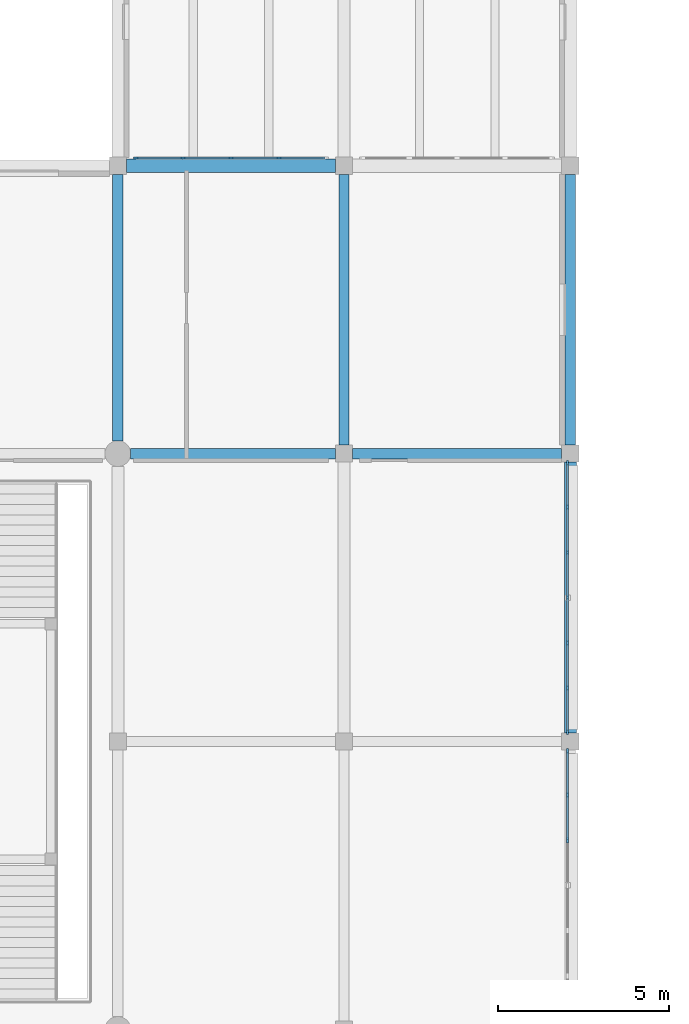
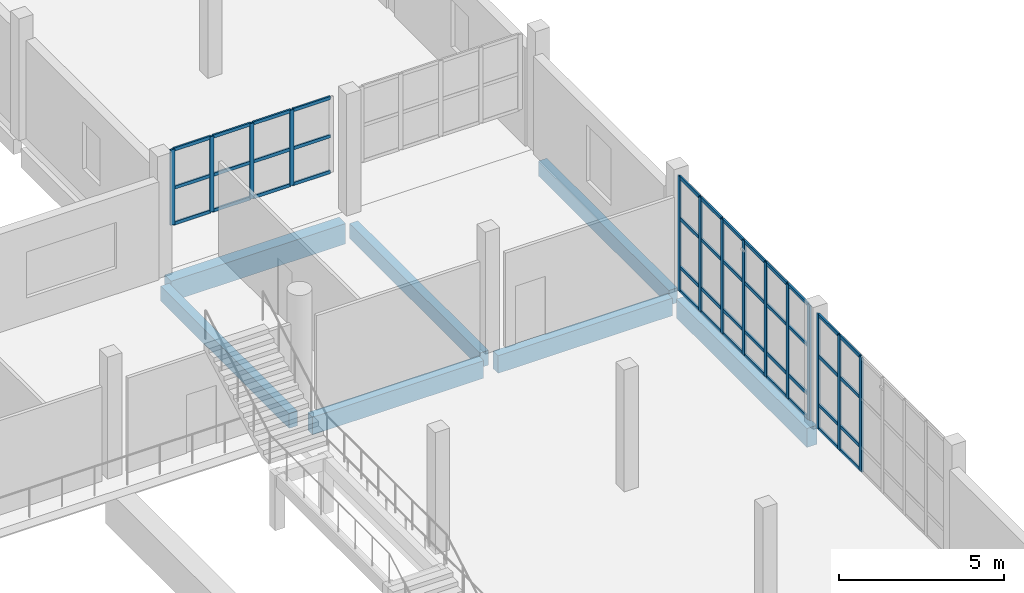
# One storey, part 7 of 76: 58 members, 7 beams, 3 elements without a shape of their own.
"""IFC4 building model written with IfcOpenShell, lengths in metres."""

from ifc_helpers import new_model, si_unit, direction, frame, origin, origin_2d, place, context, subcontext, project, spatial, rectangle, extrude, material, material_profile, profile_set, type_object, element, aggregate, save


model = new_model("IFC4")

# Units and contexts
model_context = context("Model", 3, precision=1e-05, world=origin(), true_north=direction((0.0, 1.0)))
body_context = subcontext(model_context, "Body", "Model", "MODEL_VIEW")
ifc_project = project(units=[si_unit("LENGTHUNIT", "METRE"), si_unit("AREAUNIT", "SQUARE_METRE"), si_unit("VOLUMEUNIT", "CUBIC_METRE"), si_unit("PLANEANGLEUNIT", "RADIAN"), si_unit("MASSUNIT", "GRAM", prefix="KILO")], contexts=[model_context])

# Site, building, storey
site_placement = place(None, origin())
site = spatial("IfcSite", under=ifc_project, at=site_placement, CompositionType="ELEMENT")
building_placement = place(site_placement, origin())
building = spatial("IfcBuilding", under=site, at=building_placement, Name="Qaldarim Faculty of Natural and Applied Sciences", CompositionType="ELEMENT")
storey_placement = place(building_placement, frame((0.0, 0.0, 9.89990234375)))
storey = spatial("IfcBuildingStorey", under=building, at=storey_placement, Name="L02", CompositionType="ELEMENT", Elevation=9.89990234375)

# Beams
ifc_material_1 = material(Name="Concrete C40/50", Category="concrete")
ifc_material_profile_1 = material_profile(ifc_material_1, rectangle(XDim=0.300048828125, YDim=0.550048828125, at=origin_2d()), Name="RC-B300x550")
ifc_profile_set_1 = profile_set([ifc_material_profile_1], Name="Concrete C40/50")
beam_type_1 = type_object("IfcBeamType", Name="FloorBeam-RC300x550", PredefinedType="BEAM", material=ifc_profile_set_1)
beam_1_placement = place(storey_placement, frame((33.0, 75.97509765625, -0.574951171875), z_axis=(0.0, 1.0, 0.0), x_axis=(-1.0, 0.0, 0.0)))
element("IfcBeam", 1, at=beam_1_placement, inside=storey, type_object=beam_type_1, Name="Beam RC-B300x550 L01 X06/Y10-Y11", PredefinedType="BEAM", context=body_context, shape_type="SweptSolid", body=[
    extrude(rectangle(XDim=0.300048828125, YDim=0.550048828125, at=origin_2d()), origin(), (0.0, 0.0, 1.0), 7.77490234375),
])
for number, where, z_axis, x_axis, name in (
    (2, (39.60009765625, 75.85009765625, -0.574951171875), (0.0, 1.0, 0.0), (-1.0, 0.0, 0.0), "Beam RC-B300x550 L01 X07/Y10-Y11"),
    (3, (46.199951171875, 75.85009765625, -0.574951171875), (0.0, 1.0, 0.0), (-1.0, 0.0, 0.0), "Beam RC-B300x550 L01 X08/Y10-Y11"),
):
    element("IfcBeam", number, at=place(storey_placement, frame(where, z_axis=z_axis, x_axis=x_axis)), inside=storey, type_object=beam_type_1, Name=name, PredefinedType="BEAM", context=body_context, shape_type="SweptSolid", body=[
        extrude(rectangle(XDim=0.300048828125, YDim=0.550048828125, at=origin_2d()), origin(), (0.0, 0.0, 1.0), 7.89990234375),
    ])
ifc_material_2 = material(Name="Concrete C50/60", Category="concrete")
ifc_material_profile_2 = material_profile(ifc_material_2, rectangle(XDim=0.39990234375, YDim=0.75, at=origin_2d()), Name="RC-B400x750")
ifc_profile_set_2 = profile_set([ifc_material_profile_2], Name="Concrete C50/60")
beam_type_2 = type_object("IfcBeamType", Name="LabGirder-RC400x750", PredefinedType="BEAM", material=ifc_profile_set_2)
beam_2_placement = place(storey_placement, frame((33.25, 84.0, -0.6748046875), z_axis=(1.0, 0.0, 0.0), x_axis=(0.0, 1.0, 0.0)))
element("IfcBeam", 4, at=beam_2_placement, inside=storey, type_object=beam_type_2, Name="Beam RC-B400x750 L01 X06-X07/Y11", PredefinedType="BEAM", context=body_context, shape_type="SweptSolid", body=[
    extrude(rectangle(XDim=0.39990234375, YDim=0.75, at=origin_2d()), origin(), (0.0, 0.0, 1.0), 6.10009765625),
])

# Curtain wall, members
ifc_material_3 = material(Name="Anodised aluminium AW-6063", Category="aluminium")
curtain_wall_type_1 = type_object("IfcCurtainWallType", Name="CurtainWallSystem-M1300", PredefinedType="USERDEFINED", material=ifc_material_3)
curtain_wall_1_placement = place(storey_placement, origin())
curtain_wall_1 = element("IfcCurtainWall", 5, at=curtain_wall_1_placement, inside=storey, type_object=curtain_wall_type_1, Name="Curtain wall CW-L02-E-X07Y08", ObjectType="STICK CURTAIN WALL", PredefinedType="USERDEFINED")
ifc_material_profile_3 = material_profile(ifc_material_3, rectangle(XDim=0.06005859375, YDim=0.14990234375, at=origin_2d()), Name="ALU-M60x150")
ifc_profile_set_3 = profile_set([ifc_material_profile_3], Name="Anodised aluminium AW-6063")
member_type_1 = type_object("IfcMemberType", Name="Mullion-ALU60x150", PredefinedType="MULLION", material=ifc_profile_set_3)
member_1_placement = place(storey_placement, frame((46.1201171875, 64.318359375, 0.0), z_axis=(0.0, 0.0, 1.0), x_axis=(-1.0, 0.0, 0.0)))
member_1 = element("IfcMember", 6, at=member_1_placement, type_object=member_type_1, Name="Mullion 5 of CW-L02-E-X07Y08", PredefinedType="MULLION", context=body_context, shape_type="SweptSolid", body=[
    extrude(rectangle(XDim=0.06005859375, YDim=0.14990234375, at=origin_2d()), origin(), (0.0, 0.0, 1.0), 4.239990234375),
])
member_2_placement = place(storey_placement, frame((46.1201171875, 65.63671875, 0.0), z_axis=(0.0, 0.0, 1.0), x_axis=(-1.0, 0.0, 0.0)))
member_2 = element("IfcMember", 7, at=member_2_placement, type_object=member_type_1, Name="Mullion 6 of CW-L02-E-X07Y08", PredefinedType="MULLION", context=body_context, shape_type="SweptSolid", body=[
    extrude(rectangle(XDim=0.06005859375, YDim=0.14990234375, at=origin_2d()), origin(), (0.0, 0.0, 1.0), 4.239990234375),
])
member_3_placement = place(storey_placement, frame((46.1201171875, 66.925048828125, 0.0), z_axis=(0.0, 0.0, 1.0), x_axis=(-1.0, 0.0, 0.0)))
member_3 = element("IfcMember", 8, at=member_3_placement, type_object=member_type_1, Name="Mullion 7 of CW-L02-E-X07Y08", PredefinedType="MULLION", context=body_context, shape_type="SweptSolid", body=[
    extrude(rectangle(XDim=0.06005859375, YDim=0.14990234375, at=origin_2d()), origin(), (0.0, 0.0, 1.0), 4.239990234375),
])

curtain_wall_2_placement = place(storey_placement, origin())
curtain_wall_2 = element("IfcCurtainWall", 9, at=curtain_wall_2_placement, inside=storey, type_object=curtain_wall_type_1, Name="Curtain wall CW-L02-E-X07Y09", ObjectType="STICK CURTAIN WALL", PredefinedType="USERDEFINED")
member_4_placement = place(storey_placement, frame((46.1201171875, 67.47509765625, 0.0), z_axis=(0.0, 0.0, 1.0), x_axis=(-1.0, 0.0, 0.0)))
member_4 = element("IfcMember", 10, at=member_4_placement, type_object=member_type_1, Name="Mullion 1 of CW-L02-E-X07Y09", PredefinedType="MULLION", context=body_context, shape_type="SweptSolid", body=[
    extrude(rectangle(XDim=0.06005859375, YDim=0.14990234375, at=origin_2d()), origin(), (0.0, 0.0, 1.0), 4.239990234375),
])
member_5_placement = place(storey_placement, frame((46.1201171875, 68.76318359375, 0.0), z_axis=(0.0, 0.0, 1.0), x_axis=(-1.0, 0.0, 0.0)))
member_5 = element("IfcMember", 11, at=member_5_placement, type_object=member_type_1, Name="Mullion 2 of CW-L02-E-X07Y09", PredefinedType="MULLION", context=body_context, shape_type="SweptSolid", body=[
    extrude(rectangle(XDim=0.06005859375, YDim=0.14990234375, at=origin_2d()), origin(), (0.0, 0.0, 1.0), 4.239990234375),
])
member_6_placement = place(storey_placement, frame((46.1201171875, 70.081787109375, 0.0), z_axis=(0.0, 0.0, 1.0), x_axis=(-1.0, 0.0, 0.0)))
member_6 = element("IfcMember", 12, at=member_6_placement, type_object=member_type_1, Name="Mullion 3 of CW-L02-E-X07Y09", PredefinedType="MULLION", context=body_context, shape_type="SweptSolid", body=[
    extrude(rectangle(XDim=0.06005859375, YDim=0.14990234375, at=origin_2d()), origin(), (0.0, 0.0, 1.0), 4.239990234375),
])
member_7_placement = place(storey_placement, frame((46.1201171875, 71.39990234375, 0.0), z_axis=(0.0, 0.0, 1.0), x_axis=(-1.0, 0.0, 0.0)))
member_7 = element("IfcMember", 13, at=member_7_placement, type_object=member_type_1, Name="Mullion 4 of CW-L02-E-X07Y09", PredefinedType="MULLION", context=body_context, shape_type="SweptSolid", body=[
    extrude(rectangle(XDim=0.06005859375, YDim=0.14990234375, at=origin_2d()), origin(), (0.0, 0.0, 1.0), 4.239990234375),
])
member_8_placement = place(storey_placement, frame((46.1201171875, 72.71826171875, 0.0), z_axis=(0.0, 0.0, 1.0), x_axis=(-1.0, 0.0, 0.0)))
member_8 = element("IfcMember", 14, at=member_8_placement, type_object=member_type_1, Name="Mullion 5 of CW-L02-E-X07Y09", PredefinedType="MULLION", context=body_context, shape_type="SweptSolid", body=[
    extrude(rectangle(XDim=0.06005859375, YDim=0.14990234375, at=origin_2d()), origin(), (0.0, 0.0, 1.0), 4.239990234375),
])
member_9_placement = place(storey_placement, frame((46.1201171875, 74.03662109375, 0.0), z_axis=(0.0, 0.0, 1.0), x_axis=(-1.0, 0.0, 0.0)))
member_9 = element("IfcMember", 15, at=member_9_placement, type_object=member_type_1, Name="Mullion 6 of CW-L02-E-X07Y09", PredefinedType="MULLION", context=body_context, shape_type="SweptSolid", body=[
    extrude(rectangle(XDim=0.06005859375, YDim=0.14990234375, at=origin_2d()), origin(), (0.0, 0.0, 1.0), 4.239990234375),
])
member_10_placement = place(storey_placement, frame((46.1201171875, 75.324951171875, 0.0), z_axis=(0.0, 0.0, 1.0), x_axis=(-1.0, 0.0, 0.0)))
member_10 = element("IfcMember", 16, at=member_10_placement, type_object=member_type_1, Name="Mullion 7 of CW-L02-E-X07Y09", PredefinedType="MULLION", context=body_context, shape_type="SweptSolid", body=[
    extrude(rectangle(XDim=0.06005859375, YDim=0.14990234375, at=origin_2d()), origin(), (0.0, 0.0, 1.0), 4.239990234375),
])

curtain_wall_type_2 = type_object("IfcCurtainWallType", Name="CurtainWallSystem-M1400", PredefinedType="USERDEFINED", material=ifc_material_3)
curtain_wall_3_placement = place(storey_placement, origin())
curtain_wall_3 = element("IfcCurtainWall", 17, at=curtain_wall_3_placement, inside=storey, type_object=curtain_wall_type_2, Name="Curtain wall CW-V4RIB-L02-X06", ObjectType="STICK CURTAIN WALL", PredefinedType="USERDEFINED")
member_11_placement = place(storey_placement, frame((33.530029296875, 84.219970703125, 1.4501953125), z_axis=(0.0, 0.0, 1.0), x_axis=(0.0, 1.0, 0.0)))
member_11 = element("IfcMember", 18, at=member_11_placement, type_object=member_type_1, Name="Mullion 1 of CW-V4RIB-L02-X06", PredefinedType="MULLION", context=body_context, shape_type="SweptSolid", body=[
    extrude(rectangle(XDim=0.06005859375, YDim=0.14990234375, at=origin_2d()), origin(), (0.0, 0.0, 1.0), 2.789794921875),
])
member_12_placement = place(storey_placement, frame((34.89990234375, 84.219970703125, 1.4501953125), z_axis=(0.0, 0.0, 1.0), x_axis=(0.0, 1.0, 0.0)))
member_12 = element("IfcMember", 19, at=member_12_placement, type_object=member_type_1, Name="Mullion 2 of CW-V4RIB-L02-X06", PredefinedType="MULLION", context=body_context, shape_type="SweptSolid", body=[
    extrude(rectangle(XDim=0.06005859375, YDim=0.14990234375, at=origin_2d()), origin(), (0.0, 0.0, 1.0), 2.789794921875),
])
member_13_placement = place(storey_placement, frame((36.300048828125, 84.219970703125, 1.4501953125), z_axis=(0.0, 0.0, 1.0), x_axis=(0.0, 1.0, 0.0)))
member_13 = element("IfcMember", 20, at=member_13_placement, type_object=member_type_1, Name="Mullion 3 of CW-V4RIB-L02-X06", PredefinedType="MULLION", context=body_context, shape_type="SweptSolid", body=[
    extrude(rectangle(XDim=0.06005859375, YDim=0.14990234375, at=origin_2d()), origin(), (0.0, 0.0, 1.0), 2.789794921875),
])
member_14_placement = place(storey_placement, frame((37.699951171875, 84.219970703125, 1.4501953125), z_axis=(0.0, 0.0, 1.0), x_axis=(0.0, 1.0, 0.0)))
member_14 = element("IfcMember", 21, at=member_14_placement, type_object=member_type_1, Name="Mullion 4 of CW-V4RIB-L02-X06", PredefinedType="MULLION", context=body_context, shape_type="SweptSolid", body=[
    extrude(rectangle(XDim=0.06005859375, YDim=0.14990234375, at=origin_2d()), origin(), (0.0, 0.0, 1.0), 2.789794921875),
])

# Beams
ifc_material_profile_4 = material_profile(ifc_material_1, rectangle(XDim=0.300048828125, YDim=0.64990234375, at=origin_2d()), Name="RC-B300x650")
ifc_profile_set_4 = profile_set([ifc_material_profile_4], Name="Concrete C40/50")
beam_type_3 = type_object("IfcBeamType", Name="PrimaryBeam-RC300x650", PredefinedType="BEAM", material=ifc_profile_set_4)
beam_3_placement = place(storey_placement, frame((33.375, 75.60009765625, -0.625), z_axis=(1.0, 0.0, 0.0), x_axis=(0.0, 1.0, 0.0)))
element("IfcBeam", 22, at=beam_3_placement, inside=storey, type_object=beam_type_3, Name="Beam RC-B300x650 L01 X06-X07/Y10", PredefinedType="BEAM", context=body_context, shape_type="SweptSolid", body=[
    extrude(rectangle(XDim=0.300048828125, YDim=0.64990234375, at=origin_2d()), origin(), (0.0, 0.0, 1.0), 5.97509765625),
])
beam_4_placement = place(storey_placement, frame((39.85009765625, 75.60009765625, -0.625), z_axis=(1.0, 0.0, 0.0), x_axis=(0.0, 1.0, 0.0)))
element("IfcBeam", 23, at=beam_4_placement, inside=storey, type_object=beam_type_3, Name="Beam RC-B300x650 L01 X07-X08/Y10", PredefinedType="BEAM", context=body_context, shape_type="SweptSolid", body=[
    extrude(rectangle(XDim=0.300048828125, YDim=0.64990234375, at=origin_2d()), origin(), (0.0, 0.0, 1.0), 6.099853515625),
])
ifc_material_profile_5 = material_profile(ifc_material_1, rectangle(XDim=0.35009765625, YDim=0.699951171875, at=origin_2d()), Name="RC-B350x700")
ifc_profile_set_5 = profile_set([ifc_material_profile_5], Name="Concrete C40/50")
beam_type_4 = type_object("IfcBeamType", Name="PrimaryGirder-RC350x700", PredefinedType="BEAM", material=ifc_profile_set_5)
beam_5_placement = place(storey_placement, frame((46.199951171875, 67.449951171875, -0.64990234375), z_axis=(0.0, 1.0, 0.0), x_axis=(-1.0, 0.0, 0.0)))
element("IfcBeam", 24, at=beam_5_placement, inside=storey, type_object=beam_type_4, Name="Beam RC-B350x700 L01 X08/Y09-Y10", PredefinedType="BEAM", context=body_context, shape_type="SweptSolid", body=[
    extrude(rectangle(XDim=0.35009765625, YDim=0.699951171875, at=origin_2d()), origin(), (0.0, 0.0, 1.0), 7.900146484375),
])

# Member
ifc_material_profile_6 = material_profile(ifc_material_3, rectangle(XDim=0.06005859375, YDim=0.1201171875, at=origin_2d()), Name="ALU-T60x120")
ifc_profile_set_6 = profile_set([ifc_material_profile_6], Name="Anodised aluminium AW-6063")
member_type_2 = type_object("IfcMemberType", Name="Transom-ALU60x120", PredefinedType="USERDEFINED", material=ifc_profile_set_6)
member_15_placement = place(storey_placement, frame((46.1201171875, 64.348388671875, 0.030029296875), z_axis=(0.0, 1.0, 0.0), x_axis=(-1.0, 0.0, 0.0)))
member_15 = element("IfcMember", 25, at=member_15_placement, type_object=member_type_2, Name="Transom 5-1 of CW-L02-E-X07Y08", ObjectType="TRANSOM", PredefinedType="USERDEFINED", context=body_context, shape_type="SweptSolid", body=[
    extrude(rectangle(XDim=0.06005859375, YDim=0.1201171875, at=origin_2d()), origin(), (0.0, 0.0, 1.0), 1.25830078125),
])

member_16_placement = place(storey_placement, frame((46.1201171875, 64.348388671875, 0.900146484375), z_axis=(0.0, 1.0, 0.0), x_axis=(-1.0, 0.0, 0.0)))
member_16 = element("IfcMember", 26, at=member_16_placement, type_object=member_type_2, Name="Transom 5-2 of CW-L02-E-X07Y08", ObjectType="TRANSOM", PredefinedType="USERDEFINED", context=body_context, shape_type="SweptSolid", body=[
    extrude(rectangle(XDim=0.06005859375, YDim=0.1201171875, at=origin_2d()), origin(), (0.0, 0.0, 1.0), 1.25830078125),
])

member_17_placement = place(storey_placement, frame((46.1201171875, 64.348388671875, 2.7001953125), z_axis=(0.0, 1.0, 0.0), x_axis=(-1.0, 0.0, 0.0)))
member_17 = element("IfcMember", 27, at=member_17_placement, type_object=member_type_2, Name="Transom 5-3 of CW-L02-E-X07Y08", ObjectType="TRANSOM", PredefinedType="USERDEFINED", context=body_context, shape_type="SweptSolid", body=[
    extrude(rectangle(XDim=0.06005859375, YDim=0.1201171875, at=origin_2d()), origin(), (0.0, 0.0, 1.0), 1.25830078125),
])

member_18_placement = place(storey_placement, frame((46.1201171875, 64.348388671875, 4.210205078125), z_axis=(0.0, 1.0, 0.0), x_axis=(-1.0, 0.0, 0.0)))
member_18 = element("IfcMember", 28, at=member_18_placement, type_object=member_type_2, Name="Transom 5-4 of CW-L02-E-X07Y08", ObjectType="TRANSOM", PredefinedType="USERDEFINED", context=body_context, shape_type="SweptSolid", body=[
    extrude(rectangle(XDim=0.06005859375, YDim=0.1201171875, at=origin_2d()), origin(), (0.0, 0.0, 1.0), 1.25830078125),
])

member_19_placement = place(storey_placement, frame((46.1201171875, 65.666748046875, 0.030029296875), z_axis=(0.0, 1.0, 0.0), x_axis=(-1.0, 0.0, 0.0)))
member_19 = element("IfcMember", 29, at=member_19_placement, type_object=member_type_2, Name="Transom 6-1 of CW-L02-E-X07Y08", ObjectType="TRANSOM", PredefinedType="USERDEFINED", context=body_context, shape_type="SweptSolid", body=[
    extrude(rectangle(XDim=0.06005859375, YDim=0.1201171875, at=origin_2d()), origin(), (0.0, 0.0, 1.0), 1.228271484375),
])

member_20_placement = place(storey_placement, frame((46.1201171875, 65.666748046875, 0.900146484375), z_axis=(0.0, 1.0, 0.0), x_axis=(-1.0, 0.0, 0.0)))
member_20 = element("IfcMember", 30, at=member_20_placement, type_object=member_type_2, Name="Transom 6-2 of CW-L02-E-X07Y08", ObjectType="TRANSOM", PredefinedType="USERDEFINED", context=body_context, shape_type="SweptSolid", body=[
    extrude(rectangle(XDim=0.06005859375, YDim=0.1201171875, at=origin_2d()), origin(), (0.0, 0.0, 1.0), 1.228271484375),
])

member_21_placement = place(storey_placement, frame((46.1201171875, 65.666748046875, 2.7001953125), z_axis=(0.0, 1.0, 0.0), x_axis=(-1.0, 0.0, 0.0)))
member_21 = element("IfcMember", 31, at=member_21_placement, type_object=member_type_2, Name="Transom 6-3 of CW-L02-E-X07Y08", ObjectType="TRANSOM", PredefinedType="USERDEFINED", context=body_context, shape_type="SweptSolid", body=[
    extrude(rectangle(XDim=0.06005859375, YDim=0.1201171875, at=origin_2d()), origin(), (0.0, 0.0, 1.0), 1.228271484375),
])

member_22_placement = place(storey_placement, frame((46.1201171875, 65.666748046875, 4.210205078125), z_axis=(0.0, 1.0, 0.0), x_axis=(-1.0, 0.0, 0.0)))
member_22 = element("IfcMember", 32, at=member_22_placement, type_object=member_type_2, Name="Transom 6-4 of CW-L02-E-X07Y08", ObjectType="TRANSOM", PredefinedType="USERDEFINED", context=body_context, shape_type="SweptSolid", body=[
    extrude(rectangle(XDim=0.06005859375, YDim=0.1201171875, at=origin_2d()), origin(), (0.0, 0.0, 1.0), 1.228271484375),
])

aggregate(curtain_wall_1, [member_1, member_2, member_3, member_15, member_16, member_17, member_18, member_19, member_20, member_21, member_22])

member_23_placement = place(storey_placement, frame((46.1201171875, 67.5048828125, 0.030029296875), z_axis=(0.0, 1.0, 0.0), x_axis=(-1.0, 0.0, 0.0)))
member_23 = element("IfcMember", 33, at=member_23_placement, type_object=member_type_2, Name="Transom 1-1 of CW-L02-E-X07Y09", ObjectType="TRANSOM", PredefinedType="USERDEFINED", context=body_context, shape_type="SweptSolid", body=[
    extrude(rectangle(XDim=0.06005859375, YDim=0.1201171875, at=origin_2d()), origin(), (0.0, 0.0, 1.0), 1.228515625),
])

member_24_placement = place(storey_placement, frame((46.1201171875, 67.5048828125, 0.900146484375), z_axis=(0.0, 1.0, 0.0), x_axis=(-1.0, 0.0, 0.0)))
member_24 = element("IfcMember", 34, at=member_24_placement, type_object=member_type_2, Name="Transom 1-2 of CW-L02-E-X07Y09", ObjectType="TRANSOM", PredefinedType="USERDEFINED", context=body_context, shape_type="SweptSolid", body=[
    extrude(rectangle(XDim=0.06005859375, YDim=0.1201171875, at=origin_2d()), origin(), (0.0, 0.0, 1.0), 1.228515625),
])

member_25_placement = place(storey_placement, frame((46.1201171875, 67.5048828125, 2.7001953125), z_axis=(0.0, 1.0, 0.0), x_axis=(-1.0, 0.0, 0.0)))
member_25 = element("IfcMember", 35, at=member_25_placement, type_object=member_type_2, Name="Transom 1-3 of CW-L02-E-X07Y09", ObjectType="TRANSOM", PredefinedType="USERDEFINED", context=body_context, shape_type="SweptSolid", body=[
    extrude(rectangle(XDim=0.06005859375, YDim=0.1201171875, at=origin_2d()), origin(), (0.0, 0.0, 1.0), 1.228515625),
])

member_26_placement = place(storey_placement, frame((46.1201171875, 67.5048828125, 4.210205078125), z_axis=(0.0, 1.0, 0.0), x_axis=(-1.0, 0.0, 0.0)))
member_26 = element("IfcMember", 36, at=member_26_placement, type_object=member_type_2, Name="Transom 1-4 of CW-L02-E-X07Y09", ObjectType="TRANSOM", PredefinedType="USERDEFINED", context=body_context, shape_type="SweptSolid", body=[
    extrude(rectangle(XDim=0.06005859375, YDim=0.1201171875, at=origin_2d()), origin(), (0.0, 0.0, 1.0), 1.228515625),
])

member_27_placement = place(storey_placement, frame((46.1201171875, 68.793212890625, 0.030029296875), z_axis=(0.0, 1.0, 0.0), x_axis=(-1.0, 0.0, 0.0)))
member_27 = element("IfcMember", 37, at=member_27_placement, type_object=member_type_2, Name="Transom 2-1 of CW-L02-E-X07Y09", ObjectType="TRANSOM", PredefinedType="USERDEFINED", context=body_context, shape_type="SweptSolid", body=[
    extrude(rectangle(XDim=0.06005859375, YDim=0.1201171875, at=origin_2d()), origin(), (0.0, 0.0, 1.0), 1.258544921875),
])

member_28_placement = place(storey_placement, frame((46.1201171875, 68.793212890625, 0.900146484375), z_axis=(0.0, 1.0, 0.0), x_axis=(-1.0, 0.0, 0.0)))
member_28 = element("IfcMember", 38, at=member_28_placement, type_object=member_type_2, Name="Transom 2-2 of CW-L02-E-X07Y09", ObjectType="TRANSOM", PredefinedType="USERDEFINED", context=body_context, shape_type="SweptSolid", body=[
    extrude(rectangle(XDim=0.06005859375, YDim=0.1201171875, at=origin_2d()), origin(), (0.0, 0.0, 1.0), 1.258544921875),
])

member_29_placement = place(storey_placement, frame((46.1201171875, 68.793212890625, 2.7001953125), z_axis=(0.0, 1.0, 0.0), x_axis=(-1.0, 0.0, 0.0)))
member_29 = element("IfcMember", 39, at=member_29_placement, type_object=member_type_2, Name="Transom 2-3 of CW-L02-E-X07Y09", ObjectType="TRANSOM", PredefinedType="USERDEFINED", context=body_context, shape_type="SweptSolid", body=[
    extrude(rectangle(XDim=0.06005859375, YDim=0.1201171875, at=origin_2d()), origin(), (0.0, 0.0, 1.0), 1.258544921875),
])

member_30_placement = place(storey_placement, frame((46.1201171875, 68.793212890625, 4.210205078125), z_axis=(0.0, 1.0, 0.0), x_axis=(-1.0, 0.0, 0.0)))
member_30 = element("IfcMember", 40, at=member_30_placement, type_object=member_type_2, Name="Transom 2-4 of CW-L02-E-X07Y09", ObjectType="TRANSOM", PredefinedType="USERDEFINED", context=body_context, shape_type="SweptSolid", body=[
    extrude(rectangle(XDim=0.06005859375, YDim=0.1201171875, at=origin_2d()), origin(), (0.0, 0.0, 1.0), 1.258544921875),
])

member_31_placement = place(storey_placement, frame((46.1201171875, 70.11181640625, 0.030029296875), z_axis=(0.0, 1.0, 0.0), x_axis=(-1.0, 0.0, 0.0)))
member_31 = element("IfcMember", 41, at=member_31_placement, type_object=member_type_2, Name="Transom 3-1 of CW-L02-E-X07Y09", ObjectType="TRANSOM", PredefinedType="USERDEFINED", context=body_context, shape_type="SweptSolid", body=[
    extrude(rectangle(XDim=0.06005859375, YDim=0.1201171875, at=origin_2d()), origin(), (0.0, 0.0, 1.0), 1.25830078125),
])

member_32_placement = place(storey_placement, frame((46.1201171875, 70.11181640625, 0.900146484375), z_axis=(0.0, 1.0, 0.0), x_axis=(-1.0, 0.0, 0.0)))
member_32 = element("IfcMember", 42, at=member_32_placement, type_object=member_type_2, Name="Transom 3-2 of CW-L02-E-X07Y09", ObjectType="TRANSOM", PredefinedType="USERDEFINED", context=body_context, shape_type="SweptSolid", body=[
    extrude(rectangle(XDim=0.06005859375, YDim=0.1201171875, at=origin_2d()), origin(), (0.0, 0.0, 1.0), 1.25830078125),
])

member_33_placement = place(storey_placement, frame((46.1201171875, 70.11181640625, 2.7001953125), z_axis=(0.0, 1.0, 0.0), x_axis=(-1.0, 0.0, 0.0)))
member_33 = element("IfcMember", 43, at=member_33_placement, type_object=member_type_2, Name="Transom 3-3 of CW-L02-E-X07Y09", ObjectType="TRANSOM", PredefinedType="USERDEFINED", context=body_context, shape_type="SweptSolid", body=[
    extrude(rectangle(XDim=0.06005859375, YDim=0.1201171875, at=origin_2d()), origin(), (0.0, 0.0, 1.0), 1.25830078125),
])

member_34_placement = place(storey_placement, frame((46.1201171875, 70.11181640625, 4.210205078125), z_axis=(0.0, 1.0, 0.0), x_axis=(-1.0, 0.0, 0.0)))
member_34 = element("IfcMember", 44, at=member_34_placement, type_object=member_type_2, Name="Transom 3-4 of CW-L02-E-X07Y09", ObjectType="TRANSOM", PredefinedType="USERDEFINED", context=body_context, shape_type="SweptSolid", body=[
    extrude(rectangle(XDim=0.06005859375, YDim=0.1201171875, at=origin_2d()), origin(), (0.0, 0.0, 1.0), 1.25830078125),
])

member_35_placement = place(storey_placement, frame((46.1201171875, 71.429931640625, 0.030029296875), z_axis=(0.0, 1.0, 0.0), x_axis=(-1.0, 0.0, 0.0)))
member_35 = element("IfcMember", 45, at=member_35_placement, type_object=member_type_2, Name="Transom 4-1 of CW-L02-E-X07Y09", ObjectType="TRANSOM", PredefinedType="USERDEFINED", context=body_context, shape_type="SweptSolid", body=[
    extrude(rectangle(XDim=0.06005859375, YDim=0.1201171875, at=origin_2d()), origin(), (0.0, 0.0, 1.0), 1.25830078125),
])

member_36_placement = place(storey_placement, frame((46.1201171875, 71.429931640625, 0.900146484375), z_axis=(0.0, 1.0, 0.0), x_axis=(-1.0, 0.0, 0.0)))
member_36 = element("IfcMember", 46, at=member_36_placement, type_object=member_type_2, Name="Transom 4-2 of CW-L02-E-X07Y09", ObjectType="TRANSOM", PredefinedType="USERDEFINED", context=body_context, shape_type="SweptSolid", body=[
    extrude(rectangle(XDim=0.06005859375, YDim=0.1201171875, at=origin_2d()), origin(), (0.0, 0.0, 1.0), 1.25830078125),
])

member_37_placement = place(storey_placement, frame((46.1201171875, 71.429931640625, 2.7001953125), z_axis=(0.0, 1.0, 0.0), x_axis=(-1.0, 0.0, 0.0)))
member_37 = element("IfcMember", 47, at=member_37_placement, type_object=member_type_2, Name="Transom 4-3 of CW-L02-E-X07Y09", ObjectType="TRANSOM", PredefinedType="USERDEFINED", context=body_context, shape_type="SweptSolid", body=[
    extrude(rectangle(XDim=0.06005859375, YDim=0.1201171875, at=origin_2d()), origin(), (0.0, 0.0, 1.0), 1.25830078125),
])

member_38_placement = place(storey_placement, frame((46.1201171875, 71.429931640625, 4.210205078125), z_axis=(0.0, 1.0, 0.0), x_axis=(-1.0, 0.0, 0.0)))
member_38 = element("IfcMember", 48, at=member_38_placement, type_object=member_type_2, Name="Transom 4-4 of CW-L02-E-X07Y09", ObjectType="TRANSOM", PredefinedType="USERDEFINED", context=body_context, shape_type="SweptSolid", body=[
    extrude(rectangle(XDim=0.06005859375, YDim=0.1201171875, at=origin_2d()), origin(), (0.0, 0.0, 1.0), 1.25830078125),
])

member_39_placement = place(storey_placement, frame((46.1201171875, 72.748291015625, 0.030029296875), z_axis=(0.0, 1.0, 0.0), x_axis=(-1.0, 0.0, 0.0)))
member_39 = element("IfcMember", 49, at=member_39_placement, type_object=member_type_2, Name="Transom 5-1 of CW-L02-E-X07Y09", ObjectType="TRANSOM", PredefinedType="USERDEFINED", context=body_context, shape_type="SweptSolid", body=[
    extrude(rectangle(XDim=0.06005859375, YDim=0.1201171875, at=origin_2d()), origin(), (0.0, 0.0, 1.0), 1.25830078125),
])

member_40_placement = place(storey_placement, frame((46.1201171875, 72.748291015625, 0.900146484375), z_axis=(0.0, 1.0, 0.0), x_axis=(-1.0, 0.0, 0.0)))
member_40 = element("IfcMember", 50, at=member_40_placement, type_object=member_type_2, Name="Transom 5-2 of CW-L02-E-X07Y09", ObjectType="TRANSOM", PredefinedType="USERDEFINED", context=body_context, shape_type="SweptSolid", body=[
    extrude(rectangle(XDim=0.06005859375, YDim=0.1201171875, at=origin_2d()), origin(), (0.0, 0.0, 1.0), 1.25830078125),
])

member_41_placement = place(storey_placement, frame((46.1201171875, 72.748291015625, 2.7001953125), z_axis=(0.0, 1.0, 0.0), x_axis=(-1.0, 0.0, 0.0)))
member_41 = element("IfcMember", 51, at=member_41_placement, type_object=member_type_2, Name="Transom 5-3 of CW-L02-E-X07Y09", ObjectType="TRANSOM", PredefinedType="USERDEFINED", context=body_context, shape_type="SweptSolid", body=[
    extrude(rectangle(XDim=0.06005859375, YDim=0.1201171875, at=origin_2d()), origin(), (0.0, 0.0, 1.0), 1.25830078125),
])

member_42_placement = place(storey_placement, frame((46.1201171875, 72.748291015625, 4.210205078125), z_axis=(0.0, 1.0, 0.0), x_axis=(-1.0, 0.0, 0.0)))
member_42 = element("IfcMember", 52, at=member_42_placement, type_object=member_type_2, Name="Transom 5-4 of CW-L02-E-X07Y09", ObjectType="TRANSOM", PredefinedType="USERDEFINED", context=body_context, shape_type="SweptSolid", body=[
    extrude(rectangle(XDim=0.06005859375, YDim=0.1201171875, at=origin_2d()), origin(), (0.0, 0.0, 1.0), 1.25830078125),
])

member_43_placement = place(storey_placement, frame((46.1201171875, 74.066650390625, 0.030029296875), z_axis=(0.0, 1.0, 0.0), x_axis=(-1.0, 0.0, 0.0)))
member_43 = element("IfcMember", 53, at=member_43_placement, type_object=member_type_2, Name="Transom 6-1 of CW-L02-E-X07Y09", ObjectType="TRANSOM", PredefinedType="USERDEFINED", context=body_context, shape_type="SweptSolid", body=[
    extrude(rectangle(XDim=0.06005859375, YDim=0.1201171875, at=origin_2d()), origin(), (0.0, 0.0, 1.0), 1.228271484375),
])

member_44_placement = place(storey_placement, frame((46.1201171875, 74.066650390625, 0.900146484375), z_axis=(0.0, 1.0, 0.0), x_axis=(-1.0, 0.0, 0.0)))
member_44 = element("IfcMember", 54, at=member_44_placement, type_object=member_type_2, Name="Transom 6-2 of CW-L02-E-X07Y09", ObjectType="TRANSOM", PredefinedType="USERDEFINED", context=body_context, shape_type="SweptSolid", body=[
    extrude(rectangle(XDim=0.06005859375, YDim=0.1201171875, at=origin_2d()), origin(), (0.0, 0.0, 1.0), 1.228271484375),
])

member_45_placement = place(storey_placement, frame((46.1201171875, 74.066650390625, 2.7001953125), z_axis=(0.0, 1.0, 0.0), x_axis=(-1.0, 0.0, 0.0)))
member_45 = element("IfcMember", 55, at=member_45_placement, type_object=member_type_2, Name="Transom 6-3 of CW-L02-E-X07Y09", ObjectType="TRANSOM", PredefinedType="USERDEFINED", context=body_context, shape_type="SweptSolid", body=[
    extrude(rectangle(XDim=0.06005859375, YDim=0.1201171875, at=origin_2d()), origin(), (0.0, 0.0, 1.0), 1.228271484375),
])

member_46_placement = place(storey_placement, frame((46.1201171875, 74.066650390625, 4.210205078125), z_axis=(0.0, 1.0, 0.0), x_axis=(-1.0, 0.0, 0.0)))
member_46 = element("IfcMember", 56, at=member_46_placement, type_object=member_type_2, Name="Transom 6-4 of CW-L02-E-X07Y09", ObjectType="TRANSOM", PredefinedType="USERDEFINED", context=body_context, shape_type="SweptSolid", body=[
    extrude(rectangle(XDim=0.06005859375, YDim=0.1201171875, at=origin_2d()), origin(), (0.0, 0.0, 1.0), 1.228271484375),
])

aggregate(curtain_wall_2, [member_4, member_5, member_6, member_7, member_8, member_9, member_10, member_23, member_24, member_25, member_26, member_27, member_28, member_29, member_30, member_31, member_32, member_33, member_34, member_35, member_36, member_37, member_38, member_39, member_40, member_41, member_42, member_43, member_44, member_45, member_46])

member_47_placement = place(storey_placement, frame((33.56005859375, 84.219970703125, 1.47998046875), z_axis=(1.0, 0.0, 0.0), x_axis=(0.0, 1.0, 0.0)))
member_47 = element("IfcMember", 57, at=member_47_placement, type_object=member_type_2, Name="Transom 1-1 of CW-V4RIB-L02-X06", ObjectType="TRANSOM", PredefinedType="USERDEFINED", context=body_context, shape_type="SweptSolid", body=[
    extrude(rectangle(XDim=0.06005859375, YDim=0.1201171875, at=origin_2d()), origin(), (0.0, 0.0, 1.0), 1.31005859375),
])

member_48_placement = place(storey_placement, frame((33.56005859375, 84.219970703125, 2.800048828125), z_axis=(1.0, 0.0, 0.0), x_axis=(0.0, 1.0, 0.0)))
member_48 = element("IfcMember", 58, at=member_48_placement, type_object=member_type_2, Name="Transom 1-2 of CW-V4RIB-L02-X06", ObjectType="TRANSOM", PredefinedType="USERDEFINED", context=body_context, shape_type="SweptSolid", body=[
    extrude(rectangle(XDim=0.06005859375, YDim=0.1201171875, at=origin_2d()), origin(), (0.0, 0.0, 1.0), 1.31005859375),
])

member_49_placement = place(storey_placement, frame((33.56005859375, 84.219970703125, 4.210205078125), z_axis=(1.0, 0.0, 0.0), x_axis=(0.0, 1.0, 0.0)))
member_49 = element("IfcMember", 59, at=member_49_placement, type_object=member_type_2, Name="Transom 1-3 of CW-V4RIB-L02-X06", ObjectType="TRANSOM", PredefinedType="USERDEFINED", context=body_context, shape_type="SweptSolid", body=[
    extrude(rectangle(XDim=0.06005859375, YDim=0.1201171875, at=origin_2d()), origin(), (0.0, 0.0, 1.0), 1.31005859375),
])

member_50_placement = place(storey_placement, frame((34.929931640625, 84.219970703125, 1.47998046875), z_axis=(1.0, 0.0, 0.0), x_axis=(0.0, 1.0, 0.0)))
member_50 = element("IfcMember", 60, at=member_50_placement, type_object=member_type_2, Name="Transom 2-1 of CW-V4RIB-L02-X06", ObjectType="TRANSOM", PredefinedType="USERDEFINED", context=body_context, shape_type="SweptSolid", body=[
    extrude(rectangle(XDim=0.06005859375, YDim=0.1201171875, at=origin_2d()), origin(), (0.0, 0.0, 1.0), 1.340087890625),
])

member_51_placement = place(storey_placement, frame((34.929931640625, 84.219970703125, 2.800048828125), z_axis=(1.0, 0.0, 0.0), x_axis=(0.0, 1.0, 0.0)))
member_51 = element("IfcMember", 61, at=member_51_placement, type_object=member_type_2, Name="Transom 2-2 of CW-V4RIB-L02-X06", ObjectType="TRANSOM", PredefinedType="USERDEFINED", context=body_context, shape_type="SweptSolid", body=[
    extrude(rectangle(XDim=0.06005859375, YDim=0.1201171875, at=origin_2d()), origin(), (0.0, 0.0, 1.0), 1.340087890625),
])

member_52_placement = place(storey_placement, frame((34.929931640625, 84.219970703125, 4.210205078125), z_axis=(1.0, 0.0, 0.0), x_axis=(0.0, 1.0, 0.0)))
member_52 = element("IfcMember", 62, at=member_52_placement, type_object=member_type_2, Name="Transom 2-3 of CW-V4RIB-L02-X06", ObjectType="TRANSOM", PredefinedType="USERDEFINED", context=body_context, shape_type="SweptSolid", body=[
    extrude(rectangle(XDim=0.06005859375, YDim=0.1201171875, at=origin_2d()), origin(), (0.0, 0.0, 1.0), 1.340087890625),
])

member_53_placement = place(storey_placement, frame((36.330078125, 84.219970703125, 1.47998046875), z_axis=(1.0, 0.0, 0.0), x_axis=(0.0, 1.0, 0.0)))
member_53 = element("IfcMember", 63, at=member_53_placement, type_object=member_type_2, Name="Transom 3-1 of CW-V4RIB-L02-X06", ObjectType="TRANSOM", PredefinedType="USERDEFINED", context=body_context, shape_type="SweptSolid", body=[
    extrude(rectangle(XDim=0.06005859375, YDim=0.1201171875, at=origin_2d()), origin(), (0.0, 0.0, 1.0), 1.33984375),
])

member_54_placement = place(storey_placement, frame((36.330078125, 84.219970703125, 2.800048828125), z_axis=(1.0, 0.0, 0.0), x_axis=(0.0, 1.0, 0.0)))
member_54 = element("IfcMember", 64, at=member_54_placement, type_object=member_type_2, Name="Transom 3-2 of CW-V4RIB-L02-X06", ObjectType="TRANSOM", PredefinedType="USERDEFINED", context=body_context, shape_type="SweptSolid", body=[
    extrude(rectangle(XDim=0.06005859375, YDim=0.1201171875, at=origin_2d()), origin(), (0.0, 0.0, 1.0), 1.33984375),
])

member_55_placement = place(storey_placement, frame((36.330078125, 84.219970703125, 4.210205078125), z_axis=(1.0, 0.0, 0.0), x_axis=(0.0, 1.0, 0.0)))
member_55 = element("IfcMember", 65, at=member_55_placement, type_object=member_type_2, Name="Transom 3-3 of CW-V4RIB-L02-X06", ObjectType="TRANSOM", PredefinedType="USERDEFINED", context=body_context, shape_type="SweptSolid", body=[
    extrude(rectangle(XDim=0.06005859375, YDim=0.1201171875, at=origin_2d()), origin(), (0.0, 0.0, 1.0), 1.33984375),
])

member_56_placement = place(storey_placement, frame((37.72998046875, 84.219970703125, 1.47998046875), z_axis=(1.0, 0.0, 0.0), x_axis=(0.0, 1.0, 0.0)))
member_56 = element("IfcMember", 66, at=member_56_placement, type_object=member_type_2, Name="Transom 4-1 of CW-V4RIB-L02-X06", ObjectType="TRANSOM", PredefinedType="USERDEFINED", context=body_context, shape_type="SweptSolid", body=[
    extrude(rectangle(XDim=0.06005859375, YDim=0.1201171875, at=origin_2d()), origin(), (0.0, 0.0, 1.0), 1.31005859375),
])

member_57_placement = place(storey_placement, frame((37.72998046875, 84.219970703125, 2.800048828125), z_axis=(1.0, 0.0, 0.0), x_axis=(0.0, 1.0, 0.0)))
member_57 = element("IfcMember", 67, at=member_57_placement, type_object=member_type_2, Name="Transom 4-2 of CW-V4RIB-L02-X06", ObjectType="TRANSOM", PredefinedType="USERDEFINED", context=body_context, shape_type="SweptSolid", body=[
    extrude(rectangle(XDim=0.06005859375, YDim=0.1201171875, at=origin_2d()), origin(), (0.0, 0.0, 1.0), 1.31005859375),
])

member_58_placement = place(storey_placement, frame((37.72998046875, 84.219970703125, 4.210205078125), z_axis=(1.0, 0.0, 0.0), x_axis=(0.0, 1.0, 0.0)))
member_58 = element("IfcMember", 68, at=member_58_placement, type_object=member_type_2, Name="Transom 4-3 of CW-V4RIB-L02-X06", ObjectType="TRANSOM", PredefinedType="USERDEFINED", context=body_context, shape_type="SweptSolid", body=[
    extrude(rectangle(XDim=0.06005859375, YDim=0.1201171875, at=origin_2d()), origin(), (0.0, 0.0, 1.0), 1.31005859375),
])

aggregate(curtain_wall_3, [member_11, member_12, member_13, member_14, member_47, member_48, member_49, member_50, member_51, member_52, member_53, member_54, member_55, member_56, member_57, member_58])

save(model, "model.ifc")
